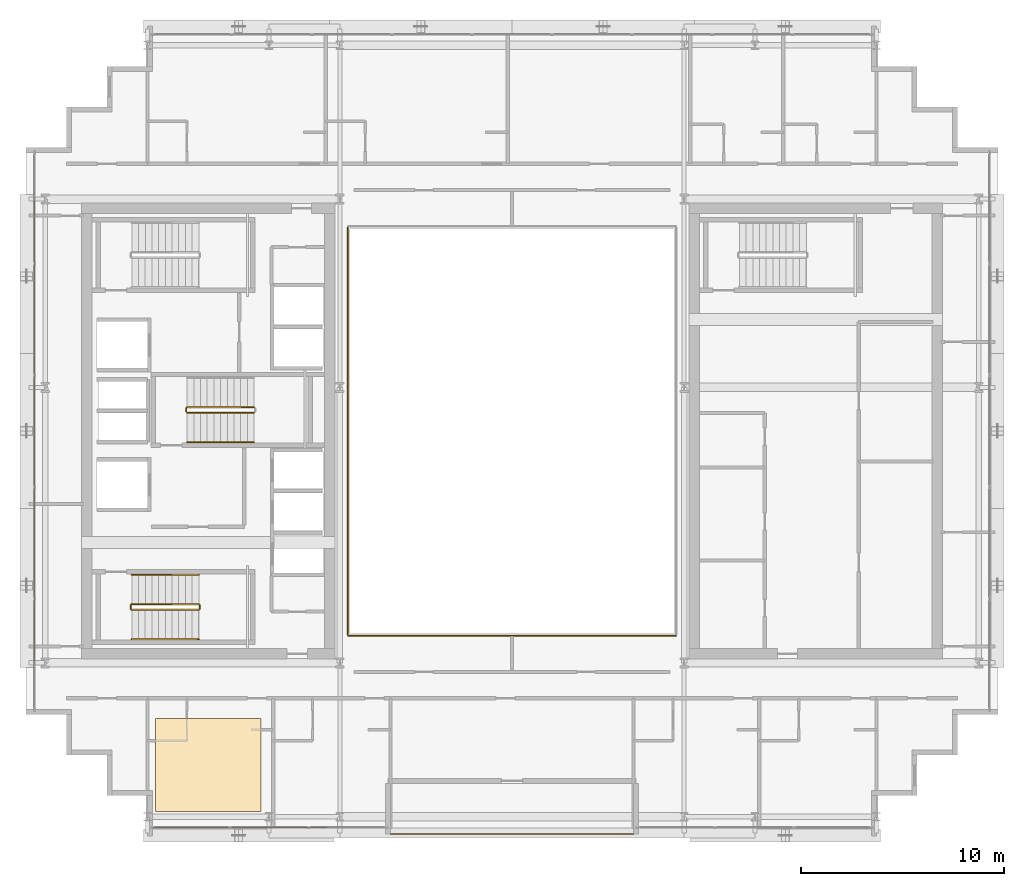
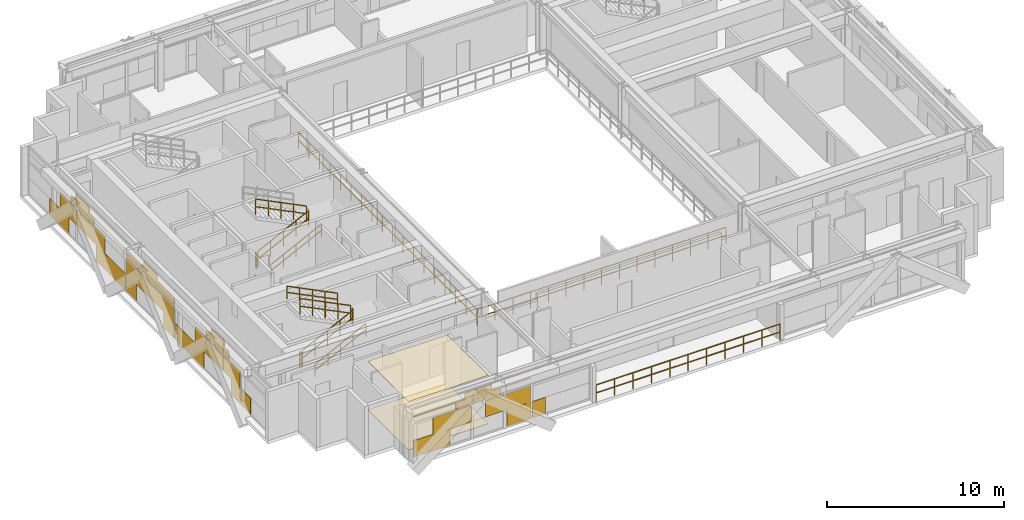
# One storey, part 28 of 31: 13 railings, 4 coverings.
"""IFC4 building model written with IfcOpenShell, lengths in metres."""

from ifc_helpers import new_model, si_unit, direction, frame, origin, origin_2d, place, context, subcontext, project, spatial, polyline, rectangle, outline, extrude, material, layer, layer_set, type_object, element, save


model = new_model("IFC4")

# Units and contexts
model_context = context("Model", 3, precision=1e-05, world=origin(), true_north=direction((0.0, 1.0)))
body_context = subcontext(model_context, "Body", "Model", "MODEL_VIEW")
ifc_project = project(units=[si_unit("LENGTHUNIT", "METRE"), si_unit("AREAUNIT", "SQUARE_METRE"), si_unit("VOLUMEUNIT", "CUBIC_METRE"), si_unit("PLANEANGLEUNIT", "RADIAN"), si_unit("MASSUNIT", "GRAM", prefix="KILO")], contexts=[model_context])

# Site, building, storey
site_placement = place(None, origin())
site = spatial("IfcSite", under=ifc_project, at=site_placement, CompositionType="ELEMENT")
building_placement = place(site_placement, origin())
building = spatial("IfcBuilding", under=site, at=building_placement, Name="Ocotamira Hotel", CompositionType="ELEMENT")
storey_placement = place(building_placement, frame((0.0, 0.0, 174.0)))
storey = spatial("IfcBuildingStorey", under=building, at=storey_placement, Name="L43", CompositionType="ELEMENT", Elevation=174.0)

# Coverings
ifc_material_1 = material(Name="Perforated acoustic gypsum ceiling board", Category="gypsum")
ifc_layer_1 = layer(ifc_material_1, 0.02490234375)
ifc_layer_set_1 = layer_set([ifc_layer_1], Name="Perforated acoustic gypsum ceiling board")
covering_type_1 = type_object("IfcCoveringType", Name="COV-CEIL-25", PredefinedType="CEILING", material=ifc_layer_set_1)
covering_1_placement = place(storey_placement, frame((0.0, 0.0, 3.344970703125)))
element("IfcCovering", 1, at=covering_1_placement, inside=storey, type_object=covering_type_1, Name="L43 Acoustic Ceiling", PredefinedType="CEILING", context=body_context, shape_type="SweptSolid", body=[
    extrude(outline(polyline([(14.39990234375, 7.199951171875), (19.60009765625, 7.199951171875), (19.60009765625, 11.800048828125), (14.39990234375, 11.800048828125), (14.39990234375, 7.199951171875)])), origin(), (0.0, 0.0, 1.0), 0.025146484375),
])
ifc_material_2 = material(Name="Honed desert travertine stone flooring", Category="masonry")
ifc_layer_2 = layer(ifc_material_2, 0.030029296875)
ifc_layer_set_2 = layer_set([ifc_layer_2], Name="Honed desert travertine stone flooring")
covering_type_2 = type_object("IfcCoveringType", Name="COV-FLOR-30", PredefinedType="FLOORING", material=ifc_layer_set_2)
covering_2_placement = place(storey_placement, origin())
element("IfcCovering", 2, at=covering_2_placement, inside=storey, type_object=covering_type_2, Name="L43 Honed Stone Floor Finish", PredefinedType="FLOORING", context=body_context, shape_type="SweptSolid", body=[
    extrude(outline(polyline([(14.39990234375, 7.199951171875), (19.60009765625, 7.199951171875), (19.60009765625, 11.800048828125), (14.39990234375, 11.800048828125), (14.39990234375, 7.199951171875)])), origin(), (0.0, 0.0, 1.0), 0.030029296875),
])
ifc_material_3 = material(Name="Insulated pale-metal aluminium spandrel panel", Category="aluminium")
ifc_layer_3 = layer(ifc_material_3, 0.044921875)
ifc_layer_set_3 = layer_set([ifc_layer_3], Name="Insulated pale-metal aluminium spandrel panel")
covering_type_3 = type_object("IfcCoveringType", Name="COV-INFILL-45", PredefinedType="CLADDING", material=ifc_layer_set_3)
covering_3_placement = place(storey_placement, origin())
element("IfcCovering", 3, at=covering_3_placement, inside=storey, type_object=covering_type_3, Name="L43 Curtain Wall Infill CW-4 CW-L43-S1", PredefinedType="CLADDING", context=body_context, shape_type="SweptSolid", body=[
    extrude(rectangle(XDim=2.37158203125, YDim=0.044921875, at=origin_2d()), frame((15.46630859375, 6.419921875, 0.07568359375), z_axis=(0.0, 0.0, 1.0), x_axis=(1.0, 0.0, 0.0)), (0.0, 0.0, 1.0), 1.117919921875),
    extrude(rectangle(XDim=2.510498046875, YDim=0.044921875, at=origin_2d()), frame((16.78759765625, 6.419921875, 1.1943359375), z_axis=(0.0, 0.0, 1.0), x_axis=(1.0, 0.0, 0.0)), (0.0, 0.0, 1.0), 1.117919921875),
    extrude(rectangle(XDim=3.76220703125, YDim=0.044921875, at=origin_2d()), frame((16.16162109375, 6.419921875, 2.83154296875), z_axis=(0.0, 0.0, 1.0), x_axis=(1.0, 0.0, 0.0)), (0.0, 0.0, 1.0), 0.0302734375),
    extrude(rectangle(XDim=1.018310546875, YDim=0.044921875, at=origin_2d()), frame((17.53369140625, 6.419921875, 2.38818359375), z_axis=(0.0, 0.0, 1.0), x_axis=(1.0, 0.0, 0.0)), (0.0, 0.0, 1.0), 0.442626953125),
    extrude(rectangle(XDim=0.4248046875, YDim=0.044921875, at=origin_2d()), frame((17.83056640625, 6.419921875, 2.86279296875), z_axis=(0.0, 0.0, 1.0), x_axis=(1.0, 0.0, 0.0)), (0.0, 0.0, 1.0), 0.431640625),
    extrude(rectangle(XDim=2.9765625, YDim=0.044921875, at=origin_2d()), frame((20.43798828125, 6.419921875, 1.1943359375), z_axis=(0.0, 0.0, 1.0), x_axis=(1.0, 0.0, 0.0)), (0.0, 0.0, 1.0), 1.117919921875),
    extrude(rectangle(XDim=1.578125, YDim=0.044921875, at=origin_2d()), frame((21.13720703125, 6.419921875, 0.07568359375), z_axis=(0.0, 0.0, 1.0), x_axis=(1.0, 0.0, 0.0)), (0.0, 0.0, 1.0), 1.117919921875),
    extrude(rectangle(XDim=1.8515625, YDim=0.044921875, at=origin_2d()), frame((19.049560546875, 6.419921875, 2.38818359375), z_axis=(0.0, 0.0, 1.0), x_axis=(1.0, 0.0, 0.0)), (0.0, 0.0, 1.0), 0.442626953125),
    extrude(rectangle(XDim=3.80224609375, YDim=0.044921875, at=origin_2d()), frame((20.02490234375, 6.419921875, 2.83154296875), z_axis=(0.0, 0.0, 1.0), x_axis=(1.0, 0.0, 0.0)), (0.0, 0.0, 1.0), 0.0302734375),
    extrude(rectangle(XDim=1.258056640625, YDim=0.044921875, at=origin_2d()), frame((18.7529296875, 6.419921875, 2.86279296875), z_axis=(0.0, 0.0, 1.0), x_axis=(1.0, 0.0, 0.0)), (0.0, 0.0, 1.0), 0.431640625),
    extrude(rectangle(XDim=0.85888671875, YDim=0.044921875, at=origin_2d()), frame((22.4365234375, 6.419921875, 0.07568359375), z_axis=(0.0, 0.0, 1.0), x_axis=(1.0, 0.0, 0.0)), (0.0, 0.0, 1.0), 1.117919921875),
])
covering_4_placement = place(storey_placement, origin())
element("IfcCovering", 4, at=covering_4_placement, inside=storey, type_object=covering_type_3, Name="L43 Curtain Wall Infill CW-4 CW-L43-W", PredefinedType="CLADDING", context=body_context, shape_type="SweptSolid", body=[
    extrude(rectangle(XDim=2.205078125, YDim=0.044921875, at=origin_2d()), frame((8.419921875, 15.7314453125, 0.07568359375), z_axis=(0.0, 0.0, 1.0), x_axis=(0.0, 1.0, 0.0)), (0.0, 0.0, 1.0), 1.117919921875),
    extrude(rectangle(XDim=1.864501953125, YDim=0.044921875, at=origin_2d()), frame((8.419921875, 16.747314453125, 1.1943359375), z_axis=(0.0, 0.0, 1.0), x_axis=(0.0, 1.0, 0.0)), (0.0, 0.0, 1.0), 1.117919921875),
    extrude(rectangle(XDim=0.59912109375, YDim=0.044921875, at=origin_2d()), frame((8.419921875, 17.3798828125, 2.38818359375), z_axis=(0.0, 0.0, 1.0), x_axis=(0.0, 1.0, 0.0)), (0.0, 0.0, 1.0), 0.493896484375),
    extrude(rectangle(XDim=0.07421875, YDim=0.044921875, at=origin_2d()), frame((8.419921875, 17.642333984375, 2.883056640625), z_axis=(0.0, 0.0, 1.0), x_axis=(0.0, 1.0, 0.0)), (0.0, 0.0, 1.0), 0.41162109375),
    extrude(rectangle(XDim=3.157958984375, YDim=0.044921875, at=origin_2d()), frame((8.419921875, 19.33935546875, 1.1943359375), z_axis=(0.0, 0.0, 1.0), x_axis=(0.0, 1.0, 0.0)), (0.0, 0.0, 1.0), 1.117919921875),
    extrude(rectangle(XDim=3.30029296875, YDim=0.044921875, at=origin_2d()), frame((8.419921875, 21.54931640625, 0.07568359375), z_axis=(0.0, 0.0, 1.0), x_axis=(0.0, 1.0, 0.0)), (0.0, 0.0, 1.0), 1.117919921875),
    extrude(rectangle(XDim=1.892333984375, YDim=0.044921875, at=origin_2d()), frame((8.419921875, 18.70654296875, 2.38818359375), z_axis=(0.0, 0.0, 1.0), x_axis=(0.0, 1.0, 0.0)), (0.0, 0.0, 1.0), 0.459716796875),
    extrude(rectangle(XDim=5.43896484375, YDim=0.044921875, at=origin_2d()), frame((8.419921875, 20.47998046875, 2.848876953125), z_axis=(0.0, 0.0, 1.0), x_axis=(0.0, 1.0, 0.0)), (0.0, 0.0, 1.0), 0.033203125),
    extrude(rectangle(XDim=1.367431640625, YDim=0.044921875, at=origin_2d()), frame((8.419921875, 18.444091796875, 2.883056640625), z_axis=(0.0, 0.0, 1.0), x_axis=(0.0, 1.0, 0.0)), (0.0, 0.0, 1.0), 0.41162109375),
    extrude(rectangle(XDim=1.18701171875, YDim=0.044921875, at=origin_2d()), frame((8.419921875, 23.873779296875, 0.07568359375), z_axis=(0.0, 0.0, 1.0), x_axis=(0.0, 1.0, 0.0)), (0.0, 0.0, 1.0), 1.117919921875),
    extrude(rectangle(XDim=5.43896484375, YDim=0.044921875, at=origin_2d()), frame((8.419921875, 26.0, 1.1943359375), z_axis=(0.0, 0.0, 1.0), x_axis=(0.0, 1.0, 0.0)), (0.0, 0.0, 1.0), 1.117919921875),
    extrude(rectangle(XDim=1.18701171875, YDim=0.044921875, at=origin_2d()), frame((8.419921875, 28.126220703125, 0.07568359375), z_axis=(0.0, 0.0, 1.0), x_axis=(0.0, 1.0, 0.0)), (0.0, 0.0, 1.0), 1.117919921875),
    extrude(rectangle(XDim=5.43896484375, YDim=0.044921875, at=origin_2d()), frame((8.419921875, 26.0, 2.38818359375), z_axis=(0.0, 0.0, 1.0), x_axis=(0.0, 1.0, 0.0)), (0.0, 0.0, 1.0), 0.493896484375),
    extrude(rectangle(XDim=1.522705078125, YDim=0.044921875, at=origin_2d()), frame((8.419921875, 26.0, 2.883056640625), z_axis=(0.0, 0.0, 1.0), x_axis=(0.0, 1.0, 0.0)), (0.0, 0.0, 1.0), 0.41162109375),
    extrude(rectangle(XDim=3.30029296875, YDim=0.044921875, at=origin_2d()), frame((8.419921875, 30.45068359375, 0.07568359375), z_axis=(0.0, 0.0, 1.0), x_axis=(0.0, 1.0, 0.0)), (0.0, 0.0, 1.0), 1.117919921875),
    extrude(rectangle(XDim=3.157958984375, YDim=0.044921875, at=origin_2d()), frame((8.419921875, 32.66064453125, 1.1943359375), z_axis=(0.0, 0.0, 1.0), x_axis=(0.0, 1.0, 0.0)), (0.0, 0.0, 1.0), 1.117919921875),
    extrude(rectangle(XDim=5.43896484375, YDim=0.044921875, at=origin_2d()), frame((8.419921875, 31.52001953125, 2.848876953125), z_axis=(0.0, 0.0, 1.0), x_axis=(0.0, 1.0, 0.0)), (0.0, 0.0, 1.0), 0.033203125),
    extrude(rectangle(XDim=1.892333984375, YDim=0.044921875, at=origin_2d()), frame((8.419921875, 33.29345703125, 2.38818359375), z_axis=(0.0, 0.0, 1.0), x_axis=(0.0, 1.0, 0.0)), (0.0, 0.0, 1.0), 0.459716796875),
    extrude(rectangle(XDim=1.367431640625, YDim=0.044921875, at=origin_2d()), frame((8.419921875, 33.555908203125, 2.883056640625), z_axis=(0.0, 0.0, 1.0), x_axis=(0.0, 1.0, 0.0)), (0.0, 0.0, 1.0), 0.41162109375),
    extrude(rectangle(XDim=1.864501953125, YDim=0.044921875, at=origin_2d()), frame((8.419921875, 35.252685546875, 1.1943359375), z_axis=(0.0, 0.0, 1.0), x_axis=(0.0, 1.0, 0.0)), (0.0, 0.0, 1.0), 1.117919921875),
    extrude(rectangle(XDim=2.205078125, YDim=0.044921875, at=origin_2d()), frame((8.419921875, 36.2685546875, 0.07568359375), z_axis=(0.0, 0.0, 1.0), x_axis=(0.0, 1.0, 0.0)), (0.0, 0.0, 1.0), 1.117919921875),
    extrude(rectangle(XDim=0.59912109375, YDim=0.044921875, at=origin_2d()), frame((8.419921875, 34.6201171875, 2.38818359375), z_axis=(0.0, 0.0, 1.0), x_axis=(0.0, 1.0, 0.0)), (0.0, 0.0, 1.0), 0.493896484375),
    extrude(rectangle(XDim=0.07421875, YDim=0.044921875, at=origin_2d()), frame((8.419921875, 34.357666015625, 2.883056640625), z_axis=(0.0, 0.0, 1.0), x_axis=(0.0, 1.0, 0.0)), (0.0, 0.0, 1.0), 0.41162109375),
])

# Railings
ifc_material_4 = material(Name="Laminated glass and pale-metal balustrade", Category="glass")
railing_type_1 = type_object("IfcRailingType", Name="RL-BAL-1150", PredefinedType="BALUSTRADE", material=ifc_material_4)
railing_1_placement = place(storey_placement, frame((26.0, 6.10009765625, 0.0)))
element("IfcRailing", 5, at=railing_1_placement, inside=storey, type_object=railing_type_1, Name="L43 Sky Terrace Balustrade 1", PredefinedType="BALUSTRADE", context=body_context, shape_type="SweptSolid", body=[
    extrude(rectangle(XDim=0.048095703125, YDim=0.048095703125, at=origin_2d()), frame((0.0, 0.0, 1.1259765625), z_axis=(1.0, 0.0, 0.0), x_axis=(0.0, 1.0, 0.0)), (0.0, 0.0, 1.0), 12.0),
    extrude(rectangle(XDim=0.048095703125, YDim=0.048095703125, at=origin_2d()), frame((0.0, 0.0, 0.574951171875), z_axis=(1.0, 0.0, 0.0), x_axis=(0.0, 1.0, 0.0)), (0.0, 0.0, 1.0), 12.0),
    extrude(rectangle(XDim=0.0419921875, YDim=0.0419921875, at=origin_2d()), origin(), (0.0, 0.0, 1.0), 1.101806640625),
    extrude(rectangle(XDim=0.0419921875, YDim=0.0419921875, at=origin_2d()), frame((1.199951171875, 0.0, 0.0)), (0.0, 0.0, 1.0), 1.101806640625),
    extrude(rectangle(XDim=0.0419921875, YDim=0.0419921875, at=origin_2d()), frame((2.39990234375, 0.0, 0.0)), (0.0, 0.0, 1.0), 1.101806640625),
    extrude(rectangle(XDim=0.0419921875, YDim=0.0419921875, at=origin_2d()), frame((3.60009765625, 0.0, 0.0)), (0.0, 0.0, 1.0), 1.101806640625),
    extrude(rectangle(XDim=0.0419921875, YDim=0.0419921875, at=origin_2d()), frame((4.800048828125, 0.0, 0.0)), (0.0, 0.0, 1.0), 1.101806640625),
    extrude(rectangle(XDim=0.0419921875, YDim=0.0419921875, at=origin_2d()), frame((6.0, 0.0, 0.0)), (0.0, 0.0, 1.0), 1.101806640625),
    extrude(rectangle(XDim=0.0419921875, YDim=0.0419921875, at=origin_2d()), frame((7.199951171875, 0.0, 0.0)), (0.0, 0.0, 1.0), 1.101806640625),
    extrude(rectangle(XDim=0.0419921875, YDim=0.0419921875, at=origin_2d()), frame((8.39990234375, 0.0, 0.0)), (0.0, 0.0, 1.0), 1.101806640625),
    extrude(rectangle(XDim=0.0419921875, YDim=0.0419921875, at=origin_2d()), frame((9.60009765625, 0.0, 0.0)), (0.0, 0.0, 1.0), 1.101806640625),
    extrude(rectangle(XDim=0.0419921875, YDim=0.0419921875, at=origin_2d()), frame((10.800048828125, 0.0, 0.0)), (0.0, 0.0, 1.0), 1.101806640625),
    extrude(rectangle(XDim=0.0419921875, YDim=0.0419921875, at=origin_2d()), frame((12.0, 0.0, 0.0)), (0.0, 0.0, 1.0), 1.101806640625),
])
ifc_material_5 = material(Name="Painted steel stair guardrail", Category="steel")
railing_type_2 = type_object("IfcRailingType", Name="RL-EDGE-1150", PredefinedType="GUARDRAIL", material=ifc_material_5)
railing_2_placement = place(storey_placement, frame((23.89990234375, 15.8798828125, 0.0)))
element("IfcRailing", 6, at=railing_2_placement, inside=storey, type_object=railing_type_2, Name="L43 Central Atrium Edge Guardrail S", PredefinedType="GUARDRAIL", context=body_context, shape_type="SweptSolid", body=[
    extrude(rectangle(XDim=0.048095703125, YDim=0.048095703125, at=origin_2d()), frame((0.0, 0.0, 1.1259765625), z_axis=(1.0, 0.0, 0.0), x_axis=(0.0, 1.0, 0.0)), (0.0, 0.0, 1.0), 16.2001953125),
    extrude(rectangle(XDim=0.048095703125, YDim=0.048095703125, at=origin_2d()), frame((0.0, 0.0, 0.574951171875), z_axis=(1.0, 0.0, 0.0), x_axis=(0.0, 1.0, 0.0)), (0.0, 0.0, 1.0), 16.2001953125),
    extrude(rectangle(XDim=0.0419921875, YDim=0.0419921875, at=origin_2d()), origin(), (0.0, 0.0, 1.0), 1.101806640625),
    extrude(rectangle(XDim=0.0419921875, YDim=0.0419921875, at=origin_2d()), frame((1.1572265625, 0.0, 0.0)), (0.0, 0.0, 1.0), 1.101806640625),
    extrude(rectangle(XDim=0.0419921875, YDim=0.0419921875, at=origin_2d()), frame((2.314208984375, 0.0, 0.0)), (0.0, 0.0, 1.0), 1.101806640625),
    extrude(rectangle(XDim=0.0419921875, YDim=0.0419921875, at=origin_2d()), frame((3.471435546875, 0.0, 0.0)), (0.0, 0.0, 1.0), 1.101806640625),
    extrude(rectangle(XDim=0.0419921875, YDim=0.0419921875, at=origin_2d()), frame((4.628662109375, 0.0, 0.0)), (0.0, 0.0, 1.0), 1.101806640625),
    extrude(rectangle(XDim=0.0419921875, YDim=0.0419921875, at=origin_2d()), frame((5.785888671875, 0.0, 0.0)), (0.0, 0.0, 1.0), 1.101806640625),
    extrude(rectangle(XDim=0.0419921875, YDim=0.0419921875, at=origin_2d()), frame((6.94287109375, 0.0, 0.0)), (0.0, 0.0, 1.0), 1.101806640625),
    extrude(rectangle(XDim=0.0419921875, YDim=0.0419921875, at=origin_2d()), frame((8.10009765625, 0.0, 0.0)), (0.0, 0.0, 1.0), 1.101806640625),
    extrude(rectangle(XDim=0.0419921875, YDim=0.0419921875, at=origin_2d()), frame((9.25732421875, 0.0, 0.0)), (0.0, 0.0, 1.0), 1.101806640625),
    extrude(rectangle(XDim=0.0419921875, YDim=0.0419921875, at=origin_2d()), frame((10.414306640625, 0.0, 0.0)), (0.0, 0.0, 1.0), 1.101806640625),
    extrude(rectangle(XDim=0.0419921875, YDim=0.0419921875, at=origin_2d()), frame((11.571533203125, 0.0, 0.0)), (0.0, 0.0, 1.0), 1.101806640625),
    extrude(rectangle(XDim=0.0419921875, YDim=0.0419921875, at=origin_2d()), frame((12.728759765625, 0.0, 0.0)), (0.0, 0.0, 1.0), 1.101806640625),
    extrude(rectangle(XDim=0.0419921875, YDim=0.0419921875, at=origin_2d()), frame((13.885986328125, 0.0, 0.0)), (0.0, 0.0, 1.0), 1.101806640625),
    extrude(rectangle(XDim=0.0419921875, YDim=0.0419921875, at=origin_2d()), frame((15.04296875, 0.0, 0.0)), (0.0, 0.0, 1.0), 1.101806640625),
    extrude(rectangle(XDim=0.0419921875, YDim=0.0419921875, at=origin_2d()), frame((16.2001953125, 0.0, 0.0)), (0.0, 0.0, 1.0), 1.101806640625),
])
railing_3_placement = place(storey_placement, frame((23.8798828125, 36.0400390625, 0.0)))
element("IfcRailing", 7, at=railing_3_placement, inside=storey, type_object=railing_type_2, Name="L43 Central Atrium Edge Guardrail W", PredefinedType="GUARDRAIL", context=body_context, shape_type="SweptSolid", body=[
    extrude(rectangle(XDim=0.048095703125, YDim=0.048095703125, at=origin_2d()), frame((0.0, 0.0, 1.1259765625), z_axis=(0.0, -1.0, 0.0), x_axis=(1.0, 0.0, 0.0)), (0.0, 0.0, 1.0), 20.080078125),
    extrude(rectangle(XDim=0.048095703125, YDim=0.048095703125, at=origin_2d()), frame((0.0, 0.0, 0.574951171875), z_axis=(0.0, -1.0, 0.0), x_axis=(1.0, 0.0, 0.0)), (0.0, 0.0, 1.0), 20.080078125),
    extrude(rectangle(XDim=0.0419921875, YDim=0.0419921875, at=origin_2d()), origin(), (0.0, 0.0, 1.0), 1.101806640625),
    extrude(rectangle(XDim=0.0419921875, YDim=0.0419921875, at=origin_2d()), frame((0.0, -1.18115234375, 0.0)), (0.0, 0.0, 1.0), 1.101806640625),
    extrude(rectangle(XDim=0.0419921875, YDim=0.0419921875, at=origin_2d()), frame((0.0, -2.3623046875, 0.0)), (0.0, 0.0, 1.0), 1.101806640625),
    extrude(rectangle(XDim=0.0419921875, YDim=0.0419921875, at=origin_2d()), frame((0.0, -3.54345703125, 0.0)), (0.0, 0.0, 1.0), 1.101806640625),
    extrude(rectangle(XDim=0.0419921875, YDim=0.0419921875, at=origin_2d()), frame((0.0, -4.724609375, 0.0)), (0.0, 0.0, 1.0), 1.101806640625),
    extrude(rectangle(XDim=0.0419921875, YDim=0.0419921875, at=origin_2d()), frame((0.0, -5.906005859375, 0.0)), (0.0, 0.0, 1.0), 1.101806640625),
    extrude(rectangle(XDim=0.0419921875, YDim=0.0419921875, at=origin_2d()), frame((0.0, -7.087158203125, 0.0)), (0.0, 0.0, 1.0), 1.101806640625),
    extrude(rectangle(XDim=0.0419921875, YDim=0.0419921875, at=origin_2d()), frame((0.0, -8.268310546875, 0.0)), (0.0, 0.0, 1.0), 1.101806640625),
    extrude(rectangle(XDim=0.0419921875, YDim=0.0419921875, at=origin_2d()), frame((0.0, -9.449462890625, 0.0)), (0.0, 0.0, 1.0), 1.101806640625),
    extrude(rectangle(XDim=0.0419921875, YDim=0.0419921875, at=origin_2d()), frame((0.0, -10.630615234375, 0.0)), (0.0, 0.0, 1.0), 1.101806640625),
    extrude(rectangle(XDim=0.0419921875, YDim=0.0419921875, at=origin_2d()), frame((0.0, -11.811767578125, 0.0)), (0.0, 0.0, 1.0), 1.101806640625),
    extrude(rectangle(XDim=0.0419921875, YDim=0.0419921875, at=origin_2d()), frame((0.0, -12.992919921875, 0.0)), (0.0, 0.0, 1.0), 1.101806640625),
    extrude(rectangle(XDim=0.0419921875, YDim=0.0419921875, at=origin_2d()), frame((0.0, -14.174072265625, 0.0)), (0.0, 0.0, 1.0), 1.101806640625),
    extrude(rectangle(XDim=0.0419921875, YDim=0.0419921875, at=origin_2d()), frame((0.0, -15.35546875, 0.0)), (0.0, 0.0, 1.0), 1.101806640625),
    extrude(rectangle(XDim=0.0419921875, YDim=0.0419921875, at=origin_2d()), frame((0.0, -16.53662109375, 0.0)), (0.0, 0.0, 1.0), 1.101806640625),
    extrude(rectangle(XDim=0.0419921875, YDim=0.0419921875, at=origin_2d()), frame((0.0, -17.7177734375, 0.0)), (0.0, 0.0, 1.0), 1.101806640625),
    extrude(rectangle(XDim=0.0419921875, YDim=0.0419921875, at=origin_2d()), frame((0.0, -18.89892578125, 0.0)), (0.0, 0.0, 1.0), 1.101806640625),
    extrude(rectangle(XDim=0.0419921875, YDim=0.0419921875, at=origin_2d()), frame((0.0, -20.080078125, 0.0)), (0.0, 0.0, 1.0), 1.101806640625),
])
ifc_material_6 = material(Name="Brushed stainless steel handrail", Category="steel")
railing_type_3 = type_object("IfcRailingType", Name="RL-HAND-900", PredefinedType="HANDRAIL", material=ifc_material_6)
railing_4_placement = place(storey_placement, frame((13.22998046875, 15.719970703125, 0.327392578125)))
element("IfcRailing", 8, at=railing_4_placement, inside=storey, type_object=railing_type_3, Name="L43 ST-1 stair handrail 1", PredefinedType="HANDRAIL", context=body_context, shape_type="SweptSolid", body=[
    extrude(rectangle(XDim=0.048095703125, YDim=0.048095703125, at=origin_2d()), frame((0.0, 0.0, 0.8759765625), z_axis=(0.895920123917, 0.0, 0.444215186098), x_axis=(0.0, 1.0, 0.0)), (0.0, 0.0, 1.0), 3.683349609375),
    extrude(rectangle(XDim=0.048095703125, YDim=0.048095703125, at=origin_2d()), frame((0.0, 0.0, 0.449951171875), z_axis=(0.895920123917, 0.0, 0.444215186098), x_axis=(0.0, 1.0, 0.0)), (0.0, 0.0, 1.0), 3.683349609375),
    extrude(rectangle(XDim=0.0419921875, YDim=0.0419921875, at=origin_2d()), origin(), (0.0, 0.0, 1.0), 0.851806640625),
    extrude(rectangle(XDim=0.0419921875, YDim=0.0419921875, at=origin_2d()), frame((0.824951171875, 0.0, 0.4091796875)), (0.0, 0.0, 1.0), 0.851806640625),
    extrude(rectangle(XDim=0.0419921875, YDim=0.0419921875, at=origin_2d()), frame((1.64990234375, 0.0, 0.818115234375)), (0.0, 0.0, 1.0), 0.851806640625),
    extrude(rectangle(XDim=0.0419921875, YDim=0.0419921875, at=origin_2d()), frame((2.47509765625, 0.0, 1.22705078125)), (0.0, 0.0, 1.0), 0.851806640625),
    extrude(rectangle(XDim=0.0419921875, YDim=0.0419921875, at=origin_2d()), frame((3.300048828125, 0.0, 1.63623046875)), (0.0, 0.0, 1.0), 0.851806640625),
])
railing_5_placement = place(storey_placement, frame((16.530029296875, 18.89990234375, 2.127197265625)))
element("IfcRailing", 9, at=railing_5_placement, inside=storey, type_object=railing_type_3, Name="L43 ST-1 stair handrail 2", PredefinedType="HANDRAIL", context=body_context, shape_type="SweptSolid", body=[
    extrude(rectangle(XDim=0.048095703125, YDim=0.048095703125, at=origin_2d()), frame((0.0, 0.0, 0.8759765625), z_axis=(-0.895893744519, 0.0, 0.4442683857), x_axis=(0.0, -1.0, 0.0)), (0.0, 0.0, 1.0), 3.68359375),
    extrude(rectangle(XDim=0.048095703125, YDim=0.048095703125, at=origin_2d()), frame((0.0, 0.0, 0.449951171875), z_axis=(-0.895893744519, 0.0, 0.4442683857), x_axis=(0.0, -1.0, 0.0)), (0.0, 0.0, 1.0), 3.68359375),
    extrude(rectangle(XDim=0.0419921875, YDim=0.0419921875, at=origin_2d()), origin(), (0.0, 0.0, 1.0), 0.851806640625),
    extrude(rectangle(XDim=0.0419921875, YDim=0.0419921875, at=origin_2d()), frame((-0.824951171875, 0.0, 0.4091796875)), (0.0, 0.0, 1.0), 0.851806640625),
    extrude(rectangle(XDim=0.0419921875, YDim=0.0419921875, at=origin_2d()), frame((-1.64990234375, 0.0, 0.818359375)), (0.0, 0.0, 1.0), 0.851806640625),
    extrude(rectangle(XDim=0.0419921875, YDim=0.0419921875, at=origin_2d()), frame((-2.47509765625, 0.0, 1.227294921875)), (0.0, 0.0, 1.0), 0.851806640625),
    extrude(rectangle(XDim=0.0419921875, YDim=0.0419921875, at=origin_2d()), frame((-3.300048828125, 0.0, 1.636474609375)), (0.0, 0.0, 1.0), 0.851806640625),
])
railing_6_placement = place(storey_placement, frame((15.9599609375, 25.449951171875, 0.327392578125)))
element("IfcRailing", 10, at=railing_6_placement, inside=storey, type_object=railing_type_3, Name="L43 ST-3 stair handrail 1", PredefinedType="HANDRAIL", context=body_context, shape_type="SweptSolid", body=[
    extrude(rectangle(XDim=0.048095703125, YDim=0.048095703125, at=origin_2d()), frame((0.0, 0.0, 0.8759765625), z_axis=(0.895920123917, 0.0, 0.444215186098), x_axis=(0.0, 1.0, 0.0)), (0.0, 0.0, 1.0), 3.683349609375),
    extrude(rectangle(XDim=0.048095703125, YDim=0.048095703125, at=origin_2d()), frame((0.0, 0.0, 0.449951171875), z_axis=(0.895920123917, 0.0, 0.444215186098), x_axis=(0.0, 1.0, 0.0)), (0.0, 0.0, 1.0), 3.683349609375),
    extrude(rectangle(XDim=0.0419921875, YDim=0.0419921875, at=origin_2d()), origin(), (0.0, 0.0, 1.0), 0.851806640625),
    extrude(rectangle(XDim=0.0419921875, YDim=0.0419921875, at=origin_2d()), frame((0.824951171875, 0.0, 0.4091796875)), (0.0, 0.0, 1.0), 0.851806640625),
    extrude(rectangle(XDim=0.0419921875, YDim=0.0419921875, at=origin_2d()), frame((1.64990234375, 0.0, 0.818115234375)), (0.0, 0.0, 1.0), 0.851806640625),
    extrude(rectangle(XDim=0.0419921875, YDim=0.0419921875, at=origin_2d()), frame((2.47509765625, 0.0, 1.22705078125)), (0.0, 0.0, 1.0), 0.851806640625),
    extrude(rectangle(XDim=0.0419921875, YDim=0.0419921875, at=origin_2d()), frame((3.300048828125, 0.0, 1.63623046875)), (0.0, 0.0, 1.0), 0.851806640625),
])
railing_type_4 = type_object("IfcRailingType", Name="RL-STAIR-1100", PredefinedType="GUARDRAIL", material=ifc_material_5)
railing_7_placement = place(storey_placement, frame((13.22998046875, 17.179931640625, 0.16357421875)))
element("IfcRailing", 11, at=railing_7_placement, inside=storey, type_object=railing_type_4, Name="L43 ST-1 stair guard 1", PredefinedType="GUARDRAIL", context=body_context, shape_type="SweptSolid", body=[
    extrude(rectangle(XDim=0.048095703125, YDim=0.048095703125, at=origin_2d()), frame((0.0, 0.0, 1.076171875), z_axis=(0.895893744519, 0.0, 0.4442683857), x_axis=(0.0, 1.0, 0.0)), (0.0, 0.0, 1.0), 3.68359375),
    extrude(rectangle(XDim=0.048095703125, YDim=0.048095703125, at=origin_2d()), frame((0.0, 0.0, 0.550048828125), z_axis=(0.895893744519, 0.0, 0.4442683857), x_axis=(0.0, 1.0, 0.0)), (0.0, 0.0, 1.0), 3.68359375),
    extrude(rectangle(XDim=0.0419921875, YDim=0.0419921875, at=origin_2d()), origin(), (0.0, 0.0, 1.0), 1.052001953125),
    extrude(rectangle(XDim=0.0419921875, YDim=0.0419921875, at=origin_2d()), frame((0.824951171875, 0.0, 0.4091796875)), (0.0, 0.0, 1.0), 1.052001953125),
    extrude(rectangle(XDim=0.0419921875, YDim=0.0419921875, at=origin_2d()), frame((1.64990234375, 0.0, 0.818359375)), (0.0, 0.0, 1.0), 1.052001953125),
    extrude(rectangle(XDim=0.0419921875, YDim=0.0419921875, at=origin_2d()), frame((2.47509765625, 0.0, 1.227294921875)), (0.0, 0.0, 1.0), 1.052001953125),
    extrude(rectangle(XDim=0.0419921875, YDim=0.0419921875, at=origin_2d()), frame((3.300048828125, 0.0, 1.636474609375)), (0.0, 0.0, 1.0), 1.052001953125),
])
railing_8_placement = place(storey_placement, frame((16.580078125, 17.22998046875, 1.800048828125)))
element("IfcRailing", 12, at=railing_8_placement, inside=storey, type_object=railing_type_4, Name="L43 ST-1 stair guard 2", PredefinedType="GUARDRAIL", context=body_context, shape_type="SweptSolid", body=[
    extrude(rectangle(XDim=0.048095703125, YDim=0.048095703125, at=origin_2d()), frame((0.0, 0.0, 1.076171875), z_axis=(0.0, 1.0, 0.0), x_axis=(-1.0, 0.0, 0.0)), (0.0, 0.0, 1.0), 0.159912109375),
    extrude(rectangle(XDim=0.048095703125, YDim=0.048095703125, at=origin_2d()), frame((0.0, 0.0, 0.550048828125), z_axis=(0.0, 1.0, 0.0), x_axis=(-1.0, 0.0, 0.0)), (0.0, 0.0, 1.0), 0.159912109375),
    extrude(rectangle(XDim=0.0419921875, YDim=0.0419921875, at=origin_2d()), origin(), (0.0, 0.0, 1.0), 1.052001953125),
    extrude(rectangle(XDim=0.0419921875, YDim=0.0419921875, at=origin_2d()), frame((0.0, 0.159912109375, 0.0)), (0.0, 0.0, 1.0), 1.052001953125),
])
railing_9_placement = place(storey_placement, frame((16.530029296875, 17.43994140625, 1.963623046875)))
element("IfcRailing", 13, at=railing_9_placement, inside=storey, type_object=railing_type_4, Name="L43 ST-1 stair guard 3", PredefinedType="GUARDRAIL", context=body_context, shape_type="SweptSolid", body=[
    extrude(rectangle(XDim=0.048095703125, YDim=0.048095703125, at=origin_2d()), frame((0.0, 0.0, 1.076171875), z_axis=(-0.895893744519, 0.0, 0.4442683857), x_axis=(0.0, -1.0, 0.0)), (0.0, 0.0, 1.0), 3.68359375),
    extrude(rectangle(XDim=0.048095703125, YDim=0.048095703125, at=origin_2d()), frame((0.0, 0.0, 0.550048828125), z_axis=(-0.895893744519, 0.0, 0.4442683857), x_axis=(0.0, -1.0, 0.0)), (0.0, 0.0, 1.0), 3.68359375),
    extrude(rectangle(XDim=0.0419921875, YDim=0.0419921875, at=origin_2d()), origin(), (0.0, 0.0, 1.0), 1.052001953125),
    extrude(rectangle(XDim=0.0419921875, YDim=0.0419921875, at=origin_2d()), frame((-0.824951171875, 0.0, 0.4091796875)), (0.0, 0.0, 1.0), 1.052001953125),
    extrude(rectangle(XDim=0.0419921875, YDim=0.0419921875, at=origin_2d()), frame((-1.64990234375, 0.0, 0.818359375)), (0.0, 0.0, 1.0), 1.052001953125),
    extrude(rectangle(XDim=0.0419921875, YDim=0.0419921875, at=origin_2d()), frame((-2.47509765625, 0.0, 1.227294921875)), (0.0, 0.0, 1.0), 1.052001953125),
    extrude(rectangle(XDim=0.0419921875, YDim=0.0419921875, at=origin_2d()), frame((-3.300048828125, 0.0, 1.636474609375)), (0.0, 0.0, 1.0), 1.052001953125),
])
railing_10_placement = place(storey_placement, frame((13.179931640625, 17.22998046875, 0.0)))
element("IfcRailing", 14, at=railing_10_placement, inside=storey, type_object=railing_type_4, Name="L43 ST-1 stair guard 4", PredefinedType="GUARDRAIL", context=body_context, shape_type="SweptSolid", body=[
    extrude(rectangle(XDim=0.048095703125, YDim=0.048095703125, at=origin_2d()), frame((0.0, 0.0, 1.076171875), z_axis=(0.0, 1.0, 0.0), x_axis=(-1.0, 0.0, 0.0)), (0.0, 0.0, 1.0), 0.159912109375),
    extrude(rectangle(XDim=0.048095703125, YDim=0.048095703125, at=origin_2d()), frame((0.0, 0.0, 0.550048828125), z_axis=(0.0, 1.0, 0.0), x_axis=(-1.0, 0.0, 0.0)), (0.0, 0.0, 1.0), 0.159912109375),
    extrude(rectangle(XDim=0.0419921875, YDim=0.0419921875, at=origin_2d()), origin(), (0.0, 0.0, 1.0), 1.052001953125),
    extrude(rectangle(XDim=0.0419921875, YDim=0.0419921875, at=origin_2d()), frame((0.0, 0.159912109375, 0.0)), (0.0, 0.0, 1.0), 1.052001953125),
])
railing_11_placement = place(storey_placement, frame((15.9599609375, 26.909912109375, 0.16357421875)))
element("IfcRailing", 15, at=railing_11_placement, inside=storey, type_object=railing_type_4, Name="L43 ST-3 stair guard 1", PredefinedType="GUARDRAIL", context=body_context, shape_type="SweptSolid", body=[
    extrude(rectangle(XDim=0.048095703125, YDim=0.048095703125, at=origin_2d()), frame((0.0, 0.0, 1.076171875), z_axis=(0.895893744519, 0.0, 0.4442683857), x_axis=(0.0, 1.0, 0.0)), (0.0, 0.0, 1.0), 3.68359375),
    extrude(rectangle(XDim=0.048095703125, YDim=0.048095703125, at=origin_2d()), frame((0.0, 0.0, 0.550048828125), z_axis=(0.895893744519, 0.0, 0.4442683857), x_axis=(0.0, 1.0, 0.0)), (0.0, 0.0, 1.0), 3.68359375),
    extrude(rectangle(XDim=0.0419921875, YDim=0.0419921875, at=origin_2d()), origin(), (0.0, 0.0, 1.0), 1.052001953125),
    extrude(rectangle(XDim=0.0419921875, YDim=0.0419921875, at=origin_2d()), frame((0.824951171875, 0.0, 0.4091796875)), (0.0, 0.0, 1.0), 1.052001953125),
    extrude(rectangle(XDim=0.0419921875, YDim=0.0419921875, at=origin_2d()), frame((1.64990234375, 0.0, 0.818359375)), (0.0, 0.0, 1.0), 1.052001953125),
    extrude(rectangle(XDim=0.0419921875, YDim=0.0419921875, at=origin_2d()), frame((2.47509765625, 0.0, 1.227294921875)), (0.0, 0.0, 1.0), 1.052001953125),
    extrude(rectangle(XDim=0.0419921875, YDim=0.0419921875, at=origin_2d()), frame((3.300048828125, 0.0, 1.636474609375)), (0.0, 0.0, 1.0), 1.052001953125),
])
railing_12_placement = place(storey_placement, frame((19.260009765625, 27.169921875, 1.963623046875)))
element("IfcRailing", 16, at=railing_12_placement, inside=storey, type_object=railing_type_4, Name="L43 ST-3 stair guard 3", PredefinedType="GUARDRAIL", context=body_context, shape_type="SweptSolid", body=[
    extrude(rectangle(XDim=0.048095703125, YDim=0.048095703125, at=origin_2d()), frame((0.0, 0.0, 1.076171875), z_axis=(-0.895893744519, 0.0, 0.4442683857), x_axis=(0.0, -1.0, 0.0)), (0.0, 0.0, 1.0), 3.68359375),
    extrude(rectangle(XDim=0.048095703125, YDim=0.048095703125, at=origin_2d()), frame((0.0, 0.0, 0.550048828125), z_axis=(-0.895893744519, 0.0, 0.4442683857), x_axis=(0.0, -1.0, 0.0)), (0.0, 0.0, 1.0), 3.68359375),
    extrude(rectangle(XDim=0.0419921875, YDim=0.0419921875, at=origin_2d()), origin(), (0.0, 0.0, 1.0), 1.052001953125),
    extrude(rectangle(XDim=0.0419921875, YDim=0.0419921875, at=origin_2d()), frame((-0.824951171875, 0.0, 0.4091796875)), (0.0, 0.0, 1.0), 1.052001953125),
    extrude(rectangle(XDim=0.0419921875, YDim=0.0419921875, at=origin_2d()), frame((-1.64990234375, 0.0, 0.818359375)), (0.0, 0.0, 1.0), 1.052001953125),
    extrude(rectangle(XDim=0.0419921875, YDim=0.0419921875, at=origin_2d()), frame((-2.47509765625, 0.0, 1.227294921875)), (0.0, 0.0, 1.0), 1.052001953125),
    extrude(rectangle(XDim=0.0419921875, YDim=0.0419921875, at=origin_2d()), frame((-3.300048828125, 0.0, 1.636474609375)), (0.0, 0.0, 1.0), 1.052001953125),
])
railing_13_placement = place(storey_placement, frame((15.909912109375, 26.9599609375, 0.0)))
element("IfcRailing", 17, at=railing_13_placement, inside=storey, type_object=railing_type_4, Name="L43 ST-3 stair guard 4", PredefinedType="GUARDRAIL", context=body_context, shape_type="SweptSolid", body=[
    extrude(rectangle(XDim=0.048095703125, YDim=0.048095703125, at=origin_2d()), frame((0.0, 0.0, 1.076171875), z_axis=(0.0, 1.0, 0.0), x_axis=(-1.0, 0.0, 0.0)), (0.0, 0.0, 1.0), 0.16015625),
    extrude(rectangle(XDim=0.048095703125, YDim=0.048095703125, at=origin_2d()), frame((0.0, 0.0, 0.550048828125), z_axis=(0.0, 1.0, 0.0), x_axis=(-1.0, 0.0, 0.0)), (0.0, 0.0, 1.0), 0.16015625),
    extrude(rectangle(XDim=0.0419921875, YDim=0.0419921875, at=origin_2d()), origin(), (0.0, 0.0, 1.0), 1.052001953125),
    extrude(rectangle(XDim=0.0419921875, YDim=0.0419921875, at=origin_2d()), frame((0.0, 0.16015625, 0.0)), (0.0, 0.0, 1.0), 1.052001953125),
])

save(model, "model.ifc")
